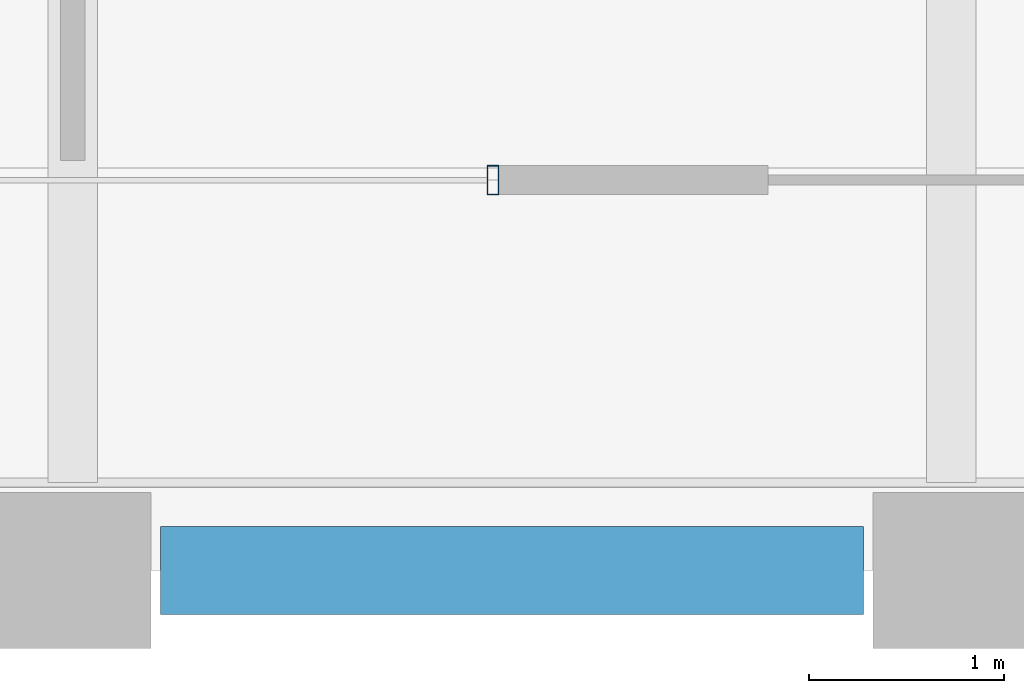
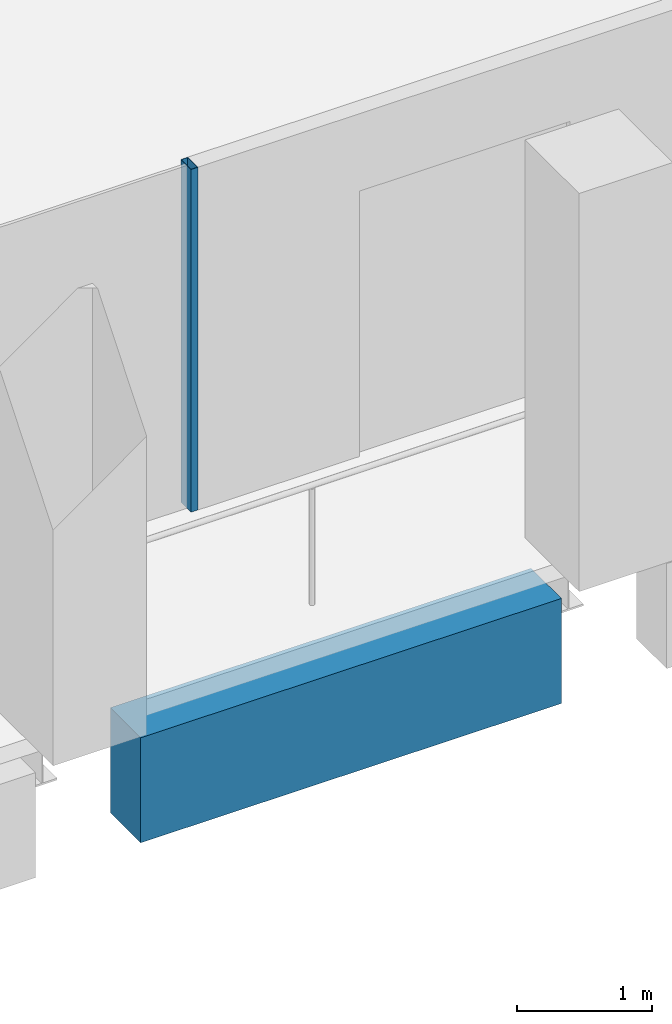
# One storey, part 7 of 40: 1 beam, 1 member, 1 element without a shape of its own.
"""IFC4 building model written with IfcOpenShell, lengths in metres."""

from ifc_helpers import new_model, si_unit, direction, frame, origin, origin_2d, place, context, subcontext, project, spatial, rectangle, hollow_rectangle, extrude, material, material_profile, profile_set, type_object, element, aggregate, save


model = new_model("IFC4")

# Units and contexts
model_context = context("Model", 3, precision=1e-05, world=origin(), true_north=direction((0.0, 1.0)))
body_context = subcontext(model_context, "Body", "Model", "MODEL_VIEW")
ifc_project = project(units=[si_unit("LENGTHUNIT", "METRE"), si_unit("AREAUNIT", "SQUARE_METRE"), si_unit("VOLUMEUNIT", "CUBIC_METRE"), si_unit("PLANEANGLEUNIT", "RADIAN"), si_unit("MASSUNIT", "GRAM", prefix="KILO")], contexts=[model_context])

# Site, building, storey
site_placement = place(None, origin())
site = spatial("IfcSite", under=ifc_project, at=site_placement, CompositionType="ELEMENT")
building_placement = place(site_placement, origin())
building = spatial("IfcBuilding", under=site, at=building_placement, Name="Altepetl Exchange Towers", CompositionType="ELEMENT")
storey_placement = place(building_placement, frame((0.0, 0.0, 195.60009765625)))
storey = spatial("IfcBuildingStorey", under=building, at=storey_placement, Name="L49", CompositionType="ELEMENT", Elevation=195.60009765625)

# Curtain wall, member
ifc_material_1 = material(Name="Aluminium 6063-T6 glazing", Category="aluminium")
curtain_wall_type = type_object("IfcCurtainWallType", Name="Loggia glazing system", PredefinedType="NOTDEFINED", material=ifc_material_1)
curtain_wall_placement = place(storey_placement, origin())
curtain_wall = element("IfcCurtainWall", 1, at=curtain_wall_placement, inside=storey, type_object=curtain_wall_type, Name="CW1 run", PredefinedType="NOTDEFINED")
ifc_material_2 = material(Name="Aluminium 6063-T6", Category="aluminium")
ifc_material_profile_1 = material_profile(ifc_material_2, hollow_rectangle(XDim=0.06005859375, YDim=0.14990234375, WallThickness=0.0029296875, at=origin_2d()), Name="Mullion 60x150 aluminium")
ifc_profile_set_1 = profile_set([ifc_material_profile_1], Name="Aluminium 6063-T6")
member_type = type_object("IfcMemberType", Name="Mullion 60x150 aluminium", PredefinedType="MULLION", material=ifc_profile_set_1)
member_placement = place(storey_placement, frame((47.152099609375, 29.0, 0.0)))
member = element("IfcMember", 2, at=member_placement, type_object=member_type, Name="MU1 mullion", PredefinedType="MULLION", context=body_context, shape_type="SweptSolid", body=[
    extrude(hollow_rectangle(XDim=0.06005859375, YDim=0.14990234375, WallThickness=0.0029296875, at=origin_2d()), origin(), (0.0, 0.0, 1.0), 3.099853515625),
])
aggregate(curtain_wall, [member])

# Beam
ifc_material_3 = material(Name="Concrete C50/60 precast with cantera blanca facing", Category="concrete")
ifc_material_profile_2 = material_profile(ifc_material_3, rectangle(XDim=0.449951171875, YDim=0.949951171875, at=origin_2d()), Name="450 x 950")
ifc_profile_set_2 = profile_set([ifc_material_profile_2], Name="Concrete C50/60 precast with cantera blanca facing")
beam_type = type_object("IfcBeamType", Name="Spandrel beam 450x950 cantera blanca", PredefinedType="SPANDREL", material=ifc_profile_set_2)
beam_placement = place(storey_placement, frame((45.449951171875, 27.0, -0.625), z_axis=(1.0, 0.0, 0.0), x_axis=(0.0, 1.0, 0.0)))
element("IfcBeam", 3, at=beam_placement, inside=storey, type_object=beam_type, Name="sp:A:L49:003", PredefinedType="SPANDREL", context=body_context, shape_type="SweptSolid", body=[
    extrude(rectangle(XDim=0.449951171875, YDim=0.949951171875, at=origin_2d()), origin(), (0.0, 0.0, 1.0), 3.60009765625),
])

save(model, "model.ifc")
